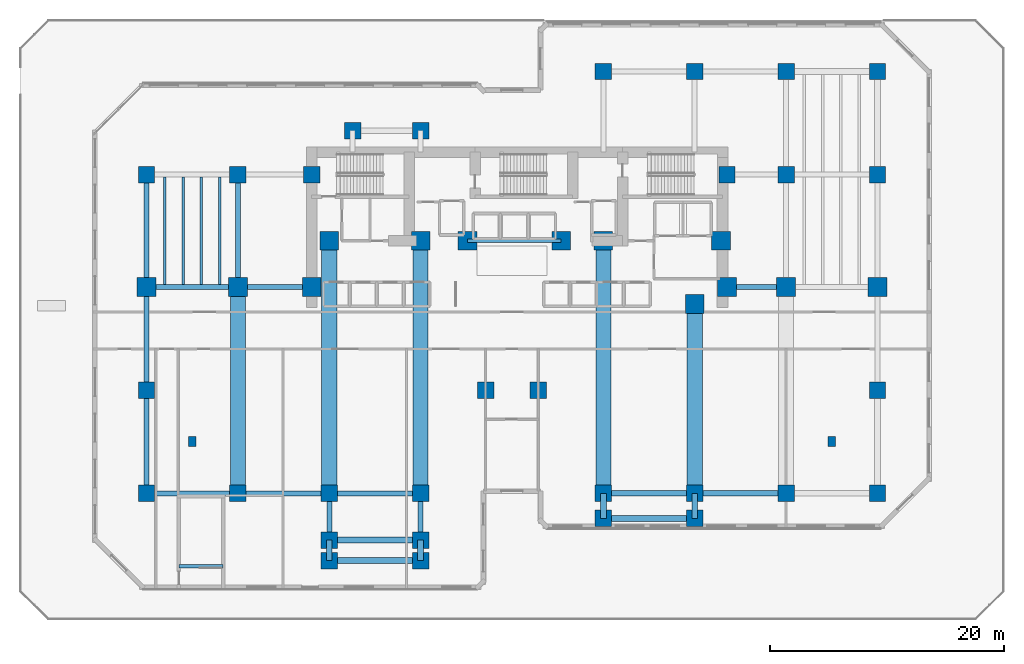
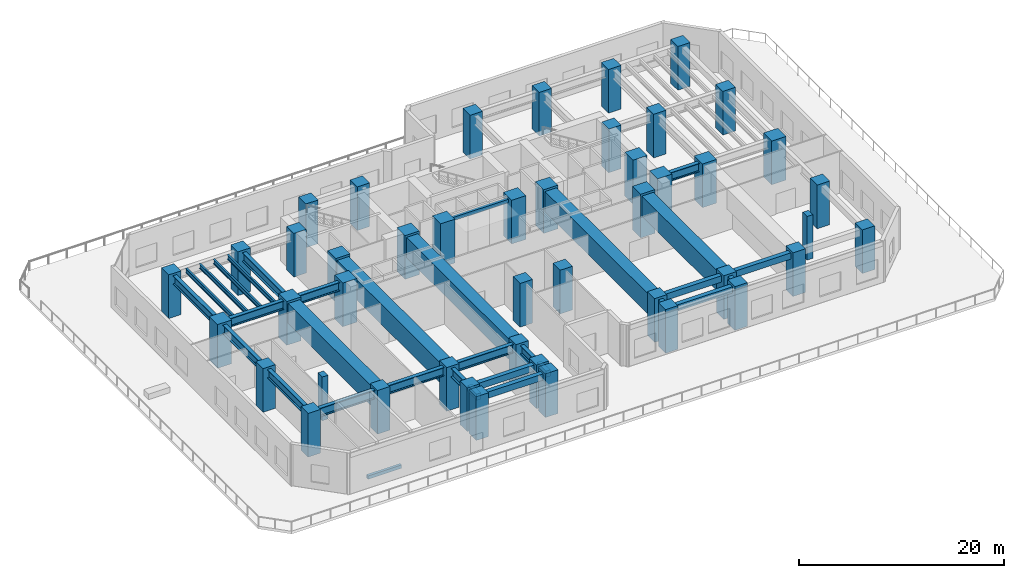
# One storey, part 1 of 13: 45 columns, 32 beams.
"""IFC4 building model written with IfcOpenShell, lengths in metres."""

from ifc_helpers import new_model, si_unit, direction, frame, origin, origin_2d, place, context, subcontext, project, spatial, rectangle, i_section, extrude, material, material_profile, profile_set, type_object, element, save


model = new_model("IFC4")

# Units and contexts
model_context = context("Model", 3, precision=1e-05, world=origin(), true_north=direction((0.0, 1.0)))
body_context = subcontext(model_context, "Body", "Model", "MODEL_VIEW")
ifc_project = project(units=[si_unit("LENGTHUNIT", "METRE"), si_unit("AREAUNIT", "SQUARE_METRE"), si_unit("VOLUMEUNIT", "CUBIC_METRE"), si_unit("PLANEANGLEUNIT", "RADIAN"), si_unit("MASSUNIT", "GRAM", prefix="KILO")], contexts=[model_context])

# Site, building, storey
site_placement = place(None, origin())
site = spatial("IfcSite", under=ifc_project, at=site_placement, CompositionType="ELEMENT")
building_placement = place(site_placement, origin())
building = spatial("IfcBuilding", under=site, at=building_placement, Name="Kestravale Grand Hotel", CompositionType="ELEMENT")
storey_placement = place(building_placement, frame((0.0, 0.0, 20.800048828125)))
storey = spatial("IfcBuildingStorey", under=building, at=storey_placement, Name="L04", CompositionType="ELEMENT", Elevation=20.800048828125)

# Columns
ifc_material_1 = material(Name="Concrete f'c 70 MPa", Category="concrete")
ifc_material_profile_1 = material_profile(ifc_material_1, rectangle(XDim=1.39990234375, YDim=1.39990234375, at=origin_2d()))
ifc_profile_set_1 = profile_set([ifc_material_profile_1], Name="Concrete f'c 70 MPa")
column_type_1 = type_object("IfcColumnType", Name="C-Z1-1400", PredefinedType="COLUMN", material=ifc_profile_set_1)
for number, where, z_axis, x_axis, name in (
    (1, (7.800048828125, 11.199951171875, 0.0), (0.0, 0.0, 1.0), (1.0, 0.0, 0.0), "L04 column 2-C"),
    (2, (7.800048828125, 20.0, 0.0), (0.0, 0.0, 1.0), (1.0, 0.0, 0.0), "L04 column 2-D"),
    (3, (7.800048828125, 38.39990234375, 0.0), (0.0, 0.0, 1.0), (1.0, 0.0, 0.0), "L04 column 2-F"),
    (4, (15.60009765625, 11.199951171875, 0.0), (0.0, 0.0, 1.0), (1.0, 0.0, 0.0), "L04 column 3-C"),
    (5, (15.60009765625, 38.39990234375, 0.0), (0.0, 0.0, 1.0), (1.0, 0.0, 0.0), "L04 column 3-F"),
    (6, (23.39990234375, 11.199951171875, 0.0), (0.0, 0.0, 1.0), (1.0, 0.0, 0.0), "L04 column 4-C"),
    (7, (31.199951171875, 11.199951171875, 0.0), (0.0, 0.0, 1.0), (1.0, 0.0, 0.0), "L04 column 5-C"),
    (8, (36.75, 20.0, 0.0), (0.0, 0.0, 1.0), (1.0, 0.0, 0.0), "L04 column 6-D"),
    (9, (41.25, 20.0, 0.0), (0.0, 0.0, 1.0), (1.0, 0.0, 0.0), "L04 column 7-D"),
    (10, (46.800048828125, 11.199951171875, 0.0), (0.0, 0.0, 1.0), (1.0, 0.0, 0.0), "L04 column 8-C"),
    (11, (46.800048828125, 47.199951171875, 0.0), (0.0, 0.0, 1.0), (1.0, 0.0, 0.0), "L04 column 8-G"),
    (12, (54.60009765625, 11.199951171875, 0.0), (0.0, 0.0, 1.0), (1.0, 0.0, 0.0), "L04 column 9-C"),
    (13, (54.60009765625, 47.199951171875, 0.0), (0.0, 0.0, 1.0), (1.0, 0.0, 0.0), "L04 column 9-G"),
    (14, (62.39990234375, 11.199951171875, 0.0), (0.0, 0.0, 1.0), (1.0, 0.0, 0.0), "L04 column 10-C"),
    (15, (62.39990234375, 38.39990234375, 0.0), (0.0, 0.0, 1.0), (1.0, 0.0, 0.0), "L04 column 10-F"),
    (16, (62.39990234375, 47.199951171875, 0.0), (0.0, 0.0, 1.0), (1.0, 0.0, 0.0), "L04 column 10-G"),
    (17, (70.199951171875, 11.199951171875, 0.0), (0.0, 0.0, 1.0), (1.0, 0.0, 0.0), "L04 column 11-C"),
    (18, (70.199951171875, 20.0, 0.0), (0.0, 0.0, 1.0), (1.0, 0.0, 0.0), "L04 column 11-D"),
    (19, (70.199951171875, 38.39990234375, 0.0), (0.0, 0.0, 1.0), (1.0, 0.0, 0.0), "L04 column 11-F"),
    (20, (70.199951171875, 47.199951171875, 0.0), (0.0, 0.0, 1.0), (1.0, 0.0, 0.0), "L04 column 11-G"),
    (21, (21.89990234375, 38.39990234375, 0.0), (0.0, 0.0, 1.0), (1.0, 0.0, 0.0), "L04 column CW-F"),
    (22, (57.35009765625, 38.39990234375, 0.0), (0.0, 0.0, 1.0), (1.0, 0.0, 0.0), "L04 column CE-F"),
    (23, (23.39990234375, 7.199951171875, 0.0), (0.0, 0.0, 1.0), (1.0, 0.0, 0.0), "L04 column 4-BS"),
    (24, (31.199951171875, 7.199951171875, 0.0), (0.0, 0.0, 1.0), (1.0, 0.0, 0.0), "L04 column 5-BS"),
    (25, (25.39990234375, 42.14990234375, 0.0), (0.0, 0.0, 1.0), (1.0, 0.0, 0.0), "L04 column 4-FN"),
    (26, (31.199951171875, 42.14990234375, 0.0), (0.0, 0.0, 1.0), (1.0, 0.0, 0.0), "L04 column 5-FN"),
    (27, (23.39990234375, 5.449951171875, 0.0), (0.0, 0.0, 1.0), (1.0, 0.0, 0.0), "L04 column 4-B1S"),
    (28, (31.199951171875, 5.449951171875, 0.0), (0.0, 0.0, 1.0), (1.0, 0.0, 0.0), "L04 column 5-B1S"),
    (29, (46.800048828125, 9.050048828125, 0.0), (0.0, 0.0, 1.0), (1.0, 0.0, 0.0), "L04 column 8-B1E"),
    (30, (54.60009765625, 9.050048828125, 0.0), (0.0, 0.0, 1.0), (1.0, 0.0, 0.0), "L04 column 9-B1E"),
):
    element("IfcColumn", number, at=place(storey_placement, frame(where, z_axis=z_axis, x_axis=x_axis)), inside=storey, type_object=column_type_1, Name=name, PredefinedType="COLUMN", context=body_context, shape_type="SweptSolid", body=[
        extrude(rectangle(XDim=1.39990234375, YDim=1.39990234375, at=origin_2d()), origin(), (0.0, 0.0, 1.0), 5.199951171875),
    ])
ifc_material_2 = material(Name="Concrete f'c 70 MPa", Category="concrete")
ifc_material_profile_2 = material_profile(ifc_material_2, rectangle(XDim=1.60009765625, YDim=1.60009765625, at=origin_2d()))
ifc_profile_set_2 = profile_set([ifc_material_profile_2], Name="Concrete f'c 70 MPa")
column_type_2 = type_object("IfcColumnType", Name="C-Z1-1600", PredefinedType="COLUMN", material=ifc_profile_set_2)
for number, where, z_axis, x_axis, name in (
    (31, (7.800048828125, 28.800048828125, 0.0), (0.0, 0.0, 1.0), (1.0, 0.0, 0.0), "L04 column 2-E"),
    (32, (15.60009765625, 28.800048828125, 0.0), (0.0, 0.0, 1.0), (1.0, 0.0, 0.0), "L04 column 3-E"),
    (33, (62.39990234375, 28.800048828125, 0.0), (0.0, 0.0, 1.0), (1.0, 0.0, 0.0), "L04 column 10-E"),
    (34, (70.199951171875, 28.800048828125, 0.0), (0.0, 0.0, 1.0), (1.0, 0.0, 0.0), "L04 column 11-E"),
    (35, (21.89990234375, 28.800048828125, 0.0), (0.0, 0.0, 1.0), (1.0, 0.0, 0.0), "L04 column CW-E"),
    (36, (57.35009765625, 28.800048828125, 0.0), (0.0, 0.0, 1.0), (1.0, 0.0, 0.0), "L04 column CE-E"),
    (37, (23.39990234375, 32.75, 0.0), (0.0, 0.0, 1.0), (1.0, 0.0, 0.0), "L04 column 4-CS"),
    (38, (31.199951171875, 32.75, 0.0), (0.0, 0.0, 1.0), (1.0, 0.0, 0.0), "L04 column 5-CS"),
    (39, (35.199951171875, 32.75, 0.0), (0.0, 0.0, 1.0), (1.0, 0.0, 0.0), "L04 column 6C-CS"),
    (40, (43.199951171875, 32.75, 0.0), (0.0, 0.0, 1.0), (1.0, 0.0, 0.0), "L04 column 7C-CS"),
    (41, (46.800048828125, 32.75, 0.0), (0.0, 0.0, 1.0), (1.0, 0.0, 0.0), "L04 column 8-CS"),
    (42, (54.60009765625, 27.35009765625, 0.0), (0.0, 0.0, 1.0), (1.0, 0.0, 0.0), "L04 column 9-CS"),
    (43, (56.85009765625, 32.75, 0.0), (0.0, 0.0, 1.0), (1.0, 0.0, 0.0), "L04 column 9C-CS"),
):
    element("IfcColumn", number, at=place(storey_placement, frame(where, z_axis=z_axis, x_axis=x_axis)), inside=storey, type_object=column_type_2, Name=name, PredefinedType="COLUMN", context=body_context, shape_type="SweptSolid", body=[
        extrude(rectangle(XDim=1.60009765625, YDim=1.60009765625, at=origin_2d()), origin(), (0.0, 0.0, 1.0), 5.199951171875),
    ])
ifc_material_3 = material(Name="Precast concrete f'c 45 MPa", Category="concrete")
ifc_material_profile_3 = material_profile(ifc_material_3, rectangle(XDim=0.64990234375, YDim=0.85009765625, at=origin_2d()))
ifc_profile_set_3 = profile_set([ifc_material_profile_3], Name="Precast concrete f'c 45 MPa")
column_type_3 = type_object("IfcColumnType", Name="C-Z1-PIL850", PredefinedType="PILASTER", material=ifc_profile_set_3)
for number, where, z_axis, x_axis, name in (
    (44, (11.699951171875, 15.60009765625, 0.0), (0.0, 0.0, 1.0), (1.0, 0.0, 0.0), "L04 Art Deco fluted pilaster P1"),
    (45, (66.300048828125, 15.60009765625, 0.0), (0.0, 0.0, 1.0), (1.0, 0.0, 0.0), "L04 Art Deco fluted pilaster P2"),
):
    element("IfcColumn", number, at=place(storey_placement, frame(where, z_axis=z_axis, x_axis=x_axis)), inside=storey, type_object=column_type_3, Name=name, PredefinedType="PILASTER", context=body_context, shape_type="SweptSolid", body=[
        extrude(rectangle(XDim=0.64990234375, YDim=0.85009765625, at=origin_2d()), origin(), (0.0, 0.0, 1.0), 5.199951171875),
    ])

# Beams
ifc_material_4 = material(Name="Steel ASTM A992 Grade 50", Category="steel")
ifc_material_profile_4 = material_profile(ifc_material_4, i_section(OverallWidth=0.2099609375, OverallDepth=0.535888671875, WebThickness=0.010986328125, FlangeThickness=0.017333984375, FilletRadius=0.017578125, at=origin_2d()))
ifc_profile_set_4 = profile_set([ifc_material_profile_4], Name="Steel ASTM A992 Grade 50")
beam_type_1 = type_object("IfcBeamType", Name="B-FLR-JST21", PredefinedType="JOIST", material=ifc_profile_set_4)
for number, where, z_axis, x_axis, name in (
    (46, (9.360107421875, 29.013427734375, 4.671875), (0.0, 1.0, 0.0), (-1.0, 0.0, 0.0), "L04 floor joist 2-3/E-F #1"),
    (47, (10.919921875, 29.013427734375, 4.671875), (0.0, 1.0, 0.0), (-1.0, 0.0, 0.0), "L04 floor joist 2-3/E-F #2"),
    (48, (12.47998046875, 29.013427734375, 4.671875), (0.0, 1.0, 0.0), (-1.0, 0.0, 0.0), "L04 floor joist 2-3/E-F #3"),
    (49, (14.0400390625, 29.013427734375, 4.671875), (0.0, 1.0, 0.0), (-1.0, 0.0, 0.0), "L04 floor joist 2-3/E-F #4"),
):
    element("IfcBeam", number, at=place(storey_placement, frame(where, z_axis=z_axis, x_axis=x_axis)), inside=storey, type_object=beam_type_1, Name=name, PredefinedType="JOIST", context=body_context, shape_type="SweptSolid", body=[
        extrude(i_section(OverallWidth=0.2099609375, OverallDepth=0.535888671875, WebThickness=0.010986328125, FlangeThickness=0.017333984375, FilletRadius=0.017578125, at=origin_2d()), origin(), (0.0, 0.0, 1.0), 9.173095703125),
    ])
ifc_material_5 = material(Name="Concrete f'c 45 MPa", Category="concrete")
ifc_material_profile_5 = material_profile(ifc_material_5, rectangle(XDim=0.300048828125, YDim=0.39990234375, at=origin_2d()))
ifc_profile_set_5 = profile_set([ifc_material_profile_5], Name="Concrete f'c 45 MPa")
beam_type_2 = type_object("IfcBeamType", Name="B-FLR-LNT400", PredefinedType="LINTEL", material=ifc_profile_set_5)
beam_1_placement = place(storey_placement, frame((35.199951171875, 32.75, 4.739990234375), z_axis=(1.0, 0.0, 0.0), x_axis=(0.0, 1.0, 0.0)))
element("IfcBeam", 50, at=beam_1_placement, inside=storey, type_object=beam_type_2, Name="L04 core portal header lintel", PredefinedType="LINTEL", context=body_context, shape_type="SweptSolid", body=[
    extrude(rectangle(XDim=0.300048828125, YDim=0.39990234375, at=origin_2d()), origin(), (0.0, 0.0, 1.0), 8.0),
])
beam_2_placement = place(storey_placement, frame((10.56005859375, 4.9599609375, -0.199951171875), z_axis=(1.0, 0.0, 0.0), x_axis=(0.0, 1.0, 0.0)))
element("IfcBeam", 51, at=beam_2_placement, inside=storey, type_object=beam_type_2, Name="L04 ST4 flight bottom header beam", PredefinedType="LINTEL", context=body_context, shape_type="SweptSolid", body=[
    extrude(rectangle(XDim=0.300048828125, YDim=0.39990234375, at=origin_2d()), origin(), (0.0, 0.0, 1.0), 3.77001953125),
])
ifc_material_6 = material(Name="Concrete f'c 45 MPa", Category="concrete")
ifc_material_profile_6 = material_profile(ifc_material_6, rectangle(XDim=0.5, YDim=0.75, at=origin_2d()))
ifc_profile_set_6 = profile_set([ifc_material_profile_6], Name="Concrete f'c 45 MPa")
beam_type_3 = type_object("IfcBeamType", Name="B-FLR-RC750", PredefinedType="SPANDREL", material=ifc_profile_set_6)
beam_3_placement = place(storey_placement, frame((46.800048828125, 11.199951171875, 4.56494140625), z_axis=(1.0, 0.0, 0.0), x_axis=(0.0, 1.0, 0.0)))
element("IfcBeam", 52, at=beam_3_placement, inside=storey, type_object=beam_type_3, Name="L04 spandrel C:8-9", PredefinedType="SPANDREL", context=body_context, shape_type="SweptSolid", body=[
    extrude(rectangle(XDim=0.5, YDim=0.75, at=origin_2d()), origin(), (0.0, 0.0, 1.0), 7.800048828125),
])
beam_4_placement = place(storey_placement, frame((54.60009765625, 11.199951171875, 4.56494140625), z_axis=(1.0, 0.0, 0.0), x_axis=(0.0, 1.0, 0.0)))
element("IfcBeam", 53, at=beam_4_placement, inside=storey, type_object=beam_type_3, Name="L04 spandrel C:9-10", PredefinedType="SPANDREL", context=body_context, shape_type="SweptSolid", body=[
    extrude(rectangle(XDim=0.5, YDim=0.75, at=origin_2d()), origin(), (0.0, 0.0, 1.0), 7.7998046875),
])
for number, where, z_axis, x_axis, name in (
    (54, (23.39990234375, 5.449951171875, 4.56494140625), (1.0, 0.0, 0.0), (0.0, 1.0, 0.0), "L04 perimeter tie spandrel B1S:4-5"),
    (55, (46.800048828125, 9.050048828125, 4.56494140625), (1.0, 0.0, 0.0), (0.0, 1.0, 0.0), "L04 perimeter tie spandrel B1E:8-9"),
    (56, (23.39990234375, 7.199951171875, 4.56494140625), (1.0, 0.0, 0.0), (0.0, 1.0, 0.0), "L04 perimeter tie spandrel BS:4-5"),
):
    element("IfcBeam", number, at=place(storey_placement, frame(where, z_axis=z_axis, x_axis=x_axis)), inside=storey, type_object=beam_type_3, Name=name, PredefinedType="SPANDREL", context=body_context, shape_type="SweptSolid", body=[
        extrude(rectangle(XDim=0.5, YDim=0.75, at=origin_2d()), origin(), (0.0, 0.0, 1.0), 7.800048828125),
    ])
for number, where, z_axis, x_axis, name in (
    (57, (23.39990234375, 5.449951171875, 4.56494140625), (0.0, 1.0, 0.0), (-1.0, 0.0, 0.0), "L04 spandrel 4:B1S-BS"),
    (58, (31.199951171875, 5.449951171875, 4.56494140625), (0.0, 1.0, 0.0), (-1.0, 0.0, 0.0), "L04 spandrel 5:B1S-BS"),
):
    element("IfcBeam", number, at=place(storey_placement, frame(where, z_axis=z_axis, x_axis=x_axis)), inside=storey, type_object=beam_type_3, Name=name, PredefinedType="SPANDREL", context=body_context, shape_type="SweptSolid", body=[
        extrude(rectangle(XDim=0.5, YDim=0.75, at=origin_2d()), origin(), (0.0, 0.0, 1.0), 1.75),
    ])
for number, where, z_axis, x_axis, name in (
    (59, (46.800048828125, 9.050048828125, 4.56494140625), (0.0, 1.0, 0.0), (-1.0, 0.0, 0.0), "L04 spandrel 8:B1E-C"),
    (60, (54.60009765625, 9.050048828125, 4.56494140625), (0.0, 1.0, 0.0), (-1.0, 0.0, 0.0), "L04 spandrel 9:B1E-C"),
):
    element("IfcBeam", number, at=place(storey_placement, frame(where, z_axis=z_axis, x_axis=x_axis)), inside=storey, type_object=beam_type_3, Name=name, PredefinedType="SPANDREL", context=body_context, shape_type="SweptSolid", body=[
        extrude(rectangle(XDim=0.5, YDim=0.75, at=origin_2d()), origin(), (0.0, 0.0, 1.0), 2.14990234375),
    ])
ifc_material_7 = material(Name="Steel ASTM A992 Grade 50", Category="steel")
ifc_material_profile_7 = material_profile(ifc_material_7, i_section(OverallWidth=0.427001953125, OverallDepth=1.0400390625, WebThickness=0.031005859375, FlangeThickness=0.055908203125, FilletRadius=0.028076171875, at=origin_2d()))
ifc_profile_set_7 = profile_set([ifc_material_profile_7], Name="Steel ASTM A992 Grade 50")
beam_type_4 = type_object("IfcBeamType", Name="B-GRD-W40", PredefinedType="BEAM", material=ifc_profile_set_7)
beam_5_placement = place(storey_placement, frame((7.800048828125, 11.199951171875, 4.419921875), z_axis=(1.0, 0.0, 0.0), x_axis=(0.0, 1.0, 0.0)))
element("IfcBeam", 61, at=beam_5_placement, inside=storey, type_object=beam_type_4, Name="L04 girder C:2-3", PredefinedType="BEAM", context=body_context, shape_type="SweptSolid", body=[
    extrude(i_section(OverallWidth=0.427001953125, OverallDepth=1.0400390625, WebThickness=0.031005859375, FlangeThickness=0.055908203125, FilletRadius=0.028076171875, at=origin_2d()), origin(), (0.0, 0.0, 1.0), 7.800048828125),
])
beam_6_placement = place(storey_placement, frame((15.60009765625, 11.199951171875, 4.419921875), z_axis=(1.0, 0.0, 0.0), x_axis=(0.0, 1.0, 0.0)))
element("IfcBeam", 62, at=beam_6_placement, inside=storey, type_object=beam_type_4, Name="L04 girder C:3-4", PredefinedType="BEAM", context=body_context, shape_type="SweptSolid", body=[
    extrude(i_section(OverallWidth=0.427001953125, OverallDepth=1.0400390625, WebThickness=0.031005859375, FlangeThickness=0.055908203125, FilletRadius=0.028076171875, at=origin_2d()), origin(), (0.0, 0.0, 1.0), 7.7998046875),
])
for number, where, z_axis, x_axis, name in (
    (63, (23.39990234375, 11.199951171875, 4.419921875), (1.0, 0.0, 0.0), (0.0, 1.0, 0.0), "L04 girder C:4-5"),
    (64, (7.800048828125, 28.800048828125, 4.419921875), (1.0, 0.0, 0.0), (0.0, 1.0, 0.0), "L04 girder E:2-3"),
):
    element("IfcBeam", number, at=place(storey_placement, frame(where, z_axis=z_axis, x_axis=x_axis)), inside=storey, type_object=beam_type_4, Name=name, PredefinedType="BEAM", context=body_context, shape_type="SweptSolid", body=[
        extrude(i_section(OverallWidth=0.427001953125, OverallDepth=1.0400390625, WebThickness=0.031005859375, FlangeThickness=0.055908203125, FilletRadius=0.028076171875, at=origin_2d()), origin(), (0.0, 0.0, 1.0), 7.800048828125),
    ])
beam_7_placement = place(storey_placement, frame((15.60009765625, 28.800048828125, 4.419921875), z_axis=(1.0, 0.0, 0.0), x_axis=(0.0, 1.0, 0.0)))
element("IfcBeam", 65, at=beam_7_placement, inside=storey, type_object=beam_type_4, Name="L04 girder E:3-CW", PredefinedType="BEAM", context=body_context, shape_type="SweptSolid", body=[
    extrude(i_section(OverallWidth=0.427001953125, OverallDepth=1.0400390625, WebThickness=0.031005859375, FlangeThickness=0.055908203125, FilletRadius=0.028076171875, at=origin_2d()), origin(), (0.0, 0.0, 1.0), 6.2998046875),
])
beam_8_placement = place(storey_placement, frame((57.35009765625, 28.800048828125, 4.419921875), z_axis=(1.0, 0.0, 0.0), x_axis=(0.0, 1.0, 0.0)))
element("IfcBeam", 66, at=beam_8_placement, inside=storey, type_object=beam_type_4, Name="L04 girder E:CE-10", PredefinedType="BEAM", context=body_context, shape_type="SweptSolid", body=[
    extrude(i_section(OverallWidth=0.427001953125, OverallDepth=1.0400390625, WebThickness=0.031005859375, FlangeThickness=0.055908203125, FilletRadius=0.028076171875, at=origin_2d()), origin(), (0.0, 0.0, 1.0), 5.0498046875),
])
for number, where, z_axis, x_axis, name in (
    (67, (7.800048828125, 11.199951171875, 4.419921875), (0.0, 1.0, 0.0), (-1.0, 0.0, 0.0), "L04 girder 2:C-D"),
    (68, (7.800048828125, 20.0, 4.419921875), (0.0, 1.0, 0.0), (-1.0, 0.0, 0.0), "L04 girder 2:D-E"),
):
    element("IfcBeam", number, at=place(storey_placement, frame(where, z_axis=z_axis, x_axis=x_axis)), inside=storey, type_object=beam_type_4, Name=name, PredefinedType="BEAM", context=body_context, shape_type="SweptSolid", body=[
        extrude(i_section(OverallWidth=0.427001953125, OverallDepth=1.0400390625, WebThickness=0.031005859375, FlangeThickness=0.055908203125, FilletRadius=0.028076171875, at=origin_2d()), origin(), (0.0, 0.0, 1.0), 8.800048828125),
    ])
for number, where, z_axis, x_axis, name in (
    (69, (7.800048828125, 28.800048828125, 4.419921875), (0.0, 1.0, 0.0), (-1.0, 0.0, 0.0), "L04 girder 2:E-F"),
    (70, (15.60009765625, 28.800048828125, 4.419921875), (0.0, 1.0, 0.0), (-1.0, 0.0, 0.0), "L04 girder 3:E-F"),
):
    element("IfcBeam", number, at=place(storey_placement, frame(where, z_axis=z_axis, x_axis=x_axis)), inside=storey, type_object=beam_type_4, Name=name, PredefinedType="BEAM", context=body_context, shape_type="SweptSolid", body=[
        extrude(i_section(OverallWidth=0.427001953125, OverallDepth=1.0400390625, WebThickness=0.031005859375, FlangeThickness=0.055908203125, FilletRadius=0.028076171875, at=origin_2d()), origin(), (0.0, 0.0, 1.0), 9.599853515625),
    ])
for number, where, z_axis, x_axis, name in (
    (71, (23.39990234375, 7.199951171875, 4.419921875), (0.0, 1.0, 0.0), (-1.0, 0.0, 0.0), "L04 girder 4:BS-C"),
    (72, (31.199951171875, 7.199951171875, 4.419921875), (0.0, 1.0, 0.0), (-1.0, 0.0, 0.0), "L04 girder 5:BS-C"),
):
    element("IfcBeam", number, at=place(storey_placement, frame(where, z_axis=z_axis, x_axis=x_axis)), inside=storey, type_object=beam_type_4, Name=name, PredefinedType="BEAM", context=body_context, shape_type="SweptSolid", body=[
        extrude(i_section(OverallWidth=0.427001953125, OverallDepth=1.0400390625, WebThickness=0.031005859375, FlangeThickness=0.055908203125, FilletRadius=0.028076171875, at=origin_2d()), origin(), (0.0, 0.0, 1.0), 4.0),
    ])
ifc_material_8 = material(Name="Concrete f'c 45 MPa", Category="concrete")
ifc_material_profile_8 = material_profile(ifc_material_8, rectangle(XDim=1.300048828125, YDim=2.39990234375, at=origin_2d()))
ifc_profile_set_8 = profile_set([ifc_material_profile_8], Name="Concrete f'c 45 MPa")
beam_type_5 = type_object("IfcBeamType", Name="B-TRG-2400", PredefinedType="USERDEFINED", material=ifc_profile_set_8)
beam_9_placement = place(storey_placement, frame((15.60009765625, 11.199951171875, 3.739990234375), z_axis=(0.0, 1.0, 0.0), x_axis=(-1.0, 0.0, 0.0)))
element("IfcBeam", 73, at=beam_9_placement, inside=storey, type_object=beam_type_5, Name="L04 ballroom transfer girder Grid 3", ObjectType="TRANSFER GIRDER", PredefinedType="USERDEFINED", context=body_context, shape_type="SweptSolid", body=[
    extrude(rectangle(XDim=1.300048828125, YDim=2.39990234375, at=origin_2d()), origin(), (0.0, 0.0, 1.0), 17.60009765625),
])
for number, where, z_axis, x_axis, name in (
    (74, (23.39990234375, 11.199951171875, 3.739990234375), (0.0, 1.0, 0.0), (-1.0, 0.0, 0.0), "L04 ballroom transfer girder Grid 4"),
    (75, (31.199951171875, 11.199951171875, 3.739990234375), (0.0, 1.0, 0.0), (-1.0, 0.0, 0.0), "L04 ballroom transfer girder Grid 5"),
    (76, (46.800048828125, 11.199951171875, 3.739990234375), (0.0, 1.0, 0.0), (-1.0, 0.0, 0.0), "L04 ballroom transfer girder Grid 8"),
):
    element("IfcBeam", number, at=place(storey_placement, frame(where, z_axis=z_axis, x_axis=x_axis)), inside=storey, type_object=beam_type_5, Name=name, ObjectType="TRANSFER GIRDER", PredefinedType="USERDEFINED", context=body_context, shape_type="SweptSolid", body=[
        extrude(rectangle(XDim=1.300048828125, YDim=2.39990234375, at=origin_2d()), origin(), (0.0, 0.0, 1.0), 21.550048828125),
    ])
beam_10_placement = place(storey_placement, frame((54.60009765625, 11.199951171875, 3.739990234375), z_axis=(0.0, 1.0, 0.0), x_axis=(-1.0, 0.0, 0.0)))
element("IfcBeam", 77, at=beam_10_placement, inside=storey, type_object=beam_type_5, Name="L04 ballroom transfer girder Grid 9", ObjectType="TRANSFER GIRDER", PredefinedType="USERDEFINED", context=body_context, shape_type="SweptSolid", body=[
    extrude(rectangle(XDim=1.300048828125, YDim=2.39990234375, at=origin_2d()), origin(), (0.0, 0.0, 1.0), 16.150146484375),
])

save(model, "model.ifc")
